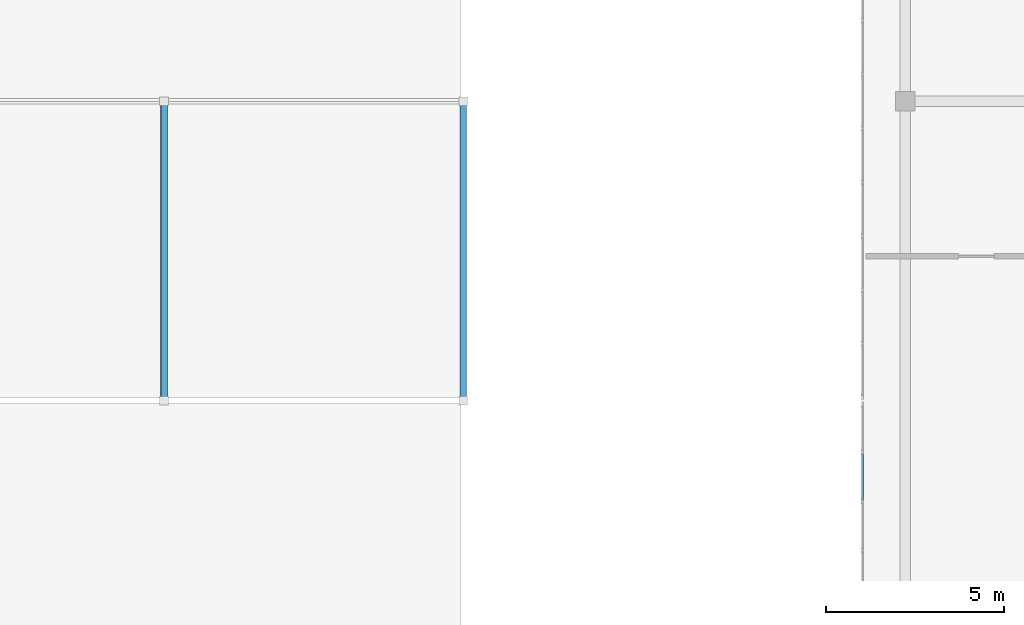
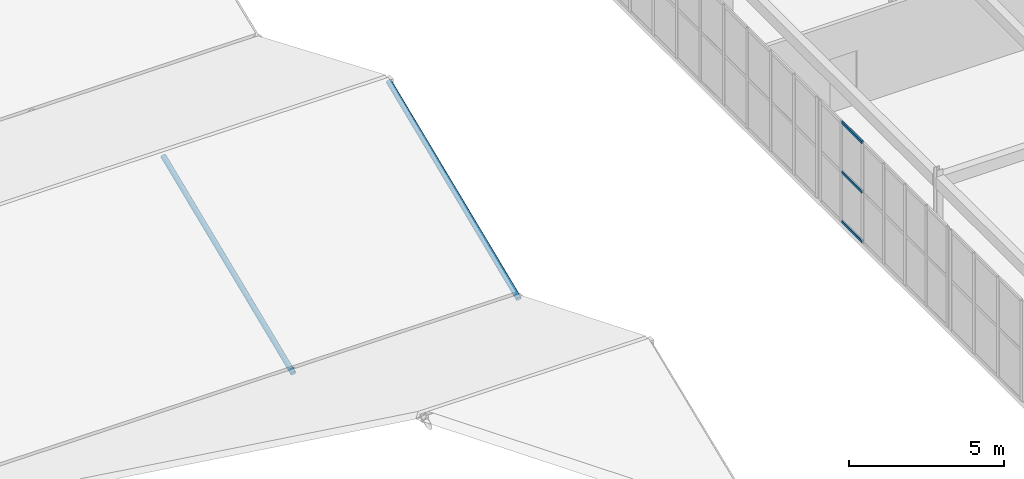
# One storey, part 18 of 140: 5 members, 1 element without a shape of its own.
"""IFC4 building model written with IfcOpenShell, lengths in metres."""

from ifc_helpers import new_model, si_unit, direction, frame, origin, origin_2d, place, context, subcontext, project, spatial, hollow_rectangle, hollow_circle, extrude, material, layer, layer_set, material_profile, profile_set, type_object, element, aggregate, save


model = new_model("IFC4")

# Units and contexts
model_context = context("Model", 3, precision=1e-05, world=origin(), true_north=direction((0.0, 1.0)))
body_context = subcontext(model_context, "Body", "Model", "MODEL_VIEW")
ifc_project = project(units=[si_unit("LENGTHUNIT", "METRE"), si_unit("AREAUNIT", "SQUARE_METRE"), si_unit("VOLUMEUNIT", "CUBIC_METRE"), si_unit("PLANEANGLEUNIT", "RADIAN"), si_unit("MASSUNIT", "GRAM", prefix="KILO")], contexts=[model_context])

# Site, building, storey
site_placement = place(None, origin())
site = spatial("IfcSite", under=ifc_project, at=site_placement, CompositionType="ELEMENT")
building_placement = place(site_placement, origin())
building = spatial("IfcBuilding", under=site, at=building_placement, Name="Trelvath General Hospital", CompositionType="ELEMENT")
storey_placement = place(building_placement, frame((0.0, 0.0, 16.199951171875)))
storey = spatial("IfcBuildingStorey", under=building, at=storey_placement, Name="L04", CompositionType="ELEMENT", Elevation=16.199951171875)

# Curtain wall, members
ifc_material_1 = material(Name="Anodised aluminium and low-E glass", Category="aluminium")
ifc_layer = layer(ifc_material_1, 0.139892578125)
ifc_layer_set = layer_set([ifc_layer], Name="Anodised aluminium and low-E glass")
curtain_wall_type = type_object("IfcCurtainWallType", Name="CW CrystalCube 824 396 14", PredefinedType="USERDEFINED", material=ifc_layer_set)
curtain_wall_placement = place(storey_placement, origin())
curtain_wall = element("IfcCurtainWall", 1, at=curtain_wall_placement, inside=storey, type_object=curtain_wall_type, Name="Crystal Cube Curtain Wall CUBE-W-T1 W2 L04", ObjectType="Unitised Glazed Curtain Wall", PredefinedType="USERDEFINED")
ifc_material_2 = material(Name="Anodised aluminium", Category="aluminium")
ifc_material_profile_1 = material_profile(ifc_material_2, hollow_rectangle(XDim=0.06005859375, YDim=0.110107421875, WallThickness=0.00390625, at=origin_2d()), Name="RHS60x110x4")
ifc_profile_set_1 = profile_set([ifc_material_profile_1], Name="Anodised aluminium")
member_type_1 = type_object("IfcMemberType", Name="CurtainTransom 60x110", PredefinedType="USERDEFINED", material=ifc_profile_set_1)
member_1_placement = place(storey_placement, frame((53.199951171875, 47.603271484375, 0.030029296875), z_axis=(0.0, 1.0, 0.0), x_axis=(-1.0, 0.0, 0.0)))
member_1 = element("IfcMember", 2, at=member_1_placement, type_object=member_type_1, Name="CW-276 transom 5.1", ObjectType="TRANSOM", PredefinedType="USERDEFINED", context=body_context, shape_type="SweptSolid", body=[
    extrude(hollow_rectangle(XDim=0.06005859375, YDim=0.110107421875, WallThickness=0.00390625, at=origin_2d()), origin(), (0.0, 0.0, 1.0), 1.3134765625),
])
member_2_placement = place(storey_placement, frame((53.199951171875, 47.603271484375, 1.97998046875), z_axis=(0.0, 1.0, 0.0), x_axis=(-1.0, 0.0, 0.0)))
member_2 = element("IfcMember", 3, at=member_2_placement, type_object=member_type_1, Name="CW-276 transom 5.2", ObjectType="TRANSOM", PredefinedType="USERDEFINED", context=body_context, shape_type="SweptSolid", body=[
    extrude(hollow_rectangle(XDim=0.06005859375, YDim=0.110107421875, WallThickness=0.00390625, at=origin_2d()), origin(), (0.0, 0.0, 1.0), 1.3134765625),
])
member_3_placement = place(storey_placement, frame((53.199951171875, 47.603271484375, 3.929931640625), z_axis=(0.0, 1.0, 0.0), x_axis=(-1.0, 0.0, 0.0)))
member_3 = element("IfcMember", 4, at=member_3_placement, type_object=member_type_1, Name="CW-276 transom 5.3", ObjectType="TRANSOM", PredefinedType="USERDEFINED", context=body_context, shape_type="SweptSolid", body=[
    extrude(hollow_rectangle(XDim=0.06005859375, YDim=0.110107421875, WallThickness=0.00390625, at=origin_2d()), origin(), (0.0, 0.0, 1.0), 1.3134765625),
])
aggregate(curtain_wall, [member_1, member_2, member_3])

# Members
ifc_material_3 = material(Name="Steel S355", Category="steel")
ifc_material_profile_2 = material_profile(ifc_material_3, hollow_circle(Radius=0.096923828125, WallThickness=0.008056640625, at=origin_2d()), Name="CHS193.7x8.0")
ifc_profile_set_2 = profile_set([ifc_material_profile_2], Name="Steel S355")
member_type_2 = type_object("IfcMemberType", Name="ShellStrut CHS193", PredefinedType="STRUT", material=ifc_profile_set_2)
for number, where, z_axis, x_axis, name in (
    (5, (33.60009765625, 50.39990234375, 0.0), (0.0, 0.923859083163, 0.382732797728), (-1.0, 0.0, 0.0), "Surgical Sawtooth Shell Strut 25"),
    (6, (42.0, 50.39990234375, 0.0), (0.0, 0.923859083163, 0.382732797728), (-1.0, 0.0, 0.0), "Surgical Sawtooth Shell Strut 26"),
):
    element("IfcMember", number, at=place(storey_placement, frame(where, z_axis=z_axis, x_axis=x_axis)), inside=storey, type_object=member_type_2, Name=name, PredefinedType="STRUT", context=body_context, shape_type="SweptSolid", body=[
        extrude(hollow_circle(Radius=0.096923828125, WallThickness=0.008056640625, at=origin_2d()), origin(), (0.0, 0.0, 1.0), 9.092529296875),
    ])

save(model, "model.ifc")
